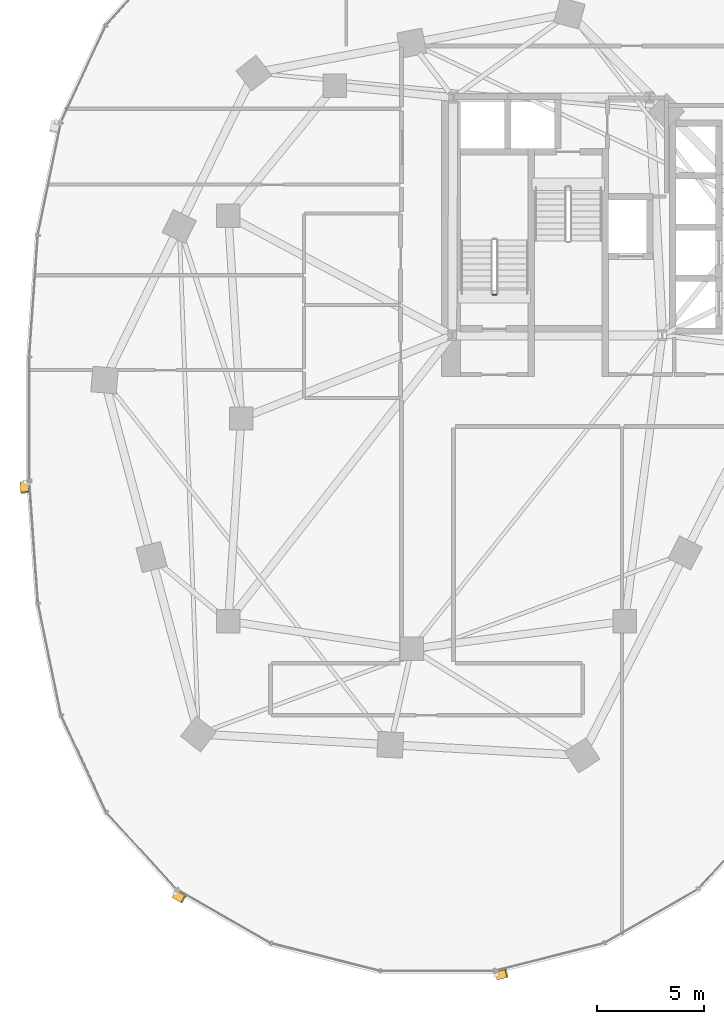
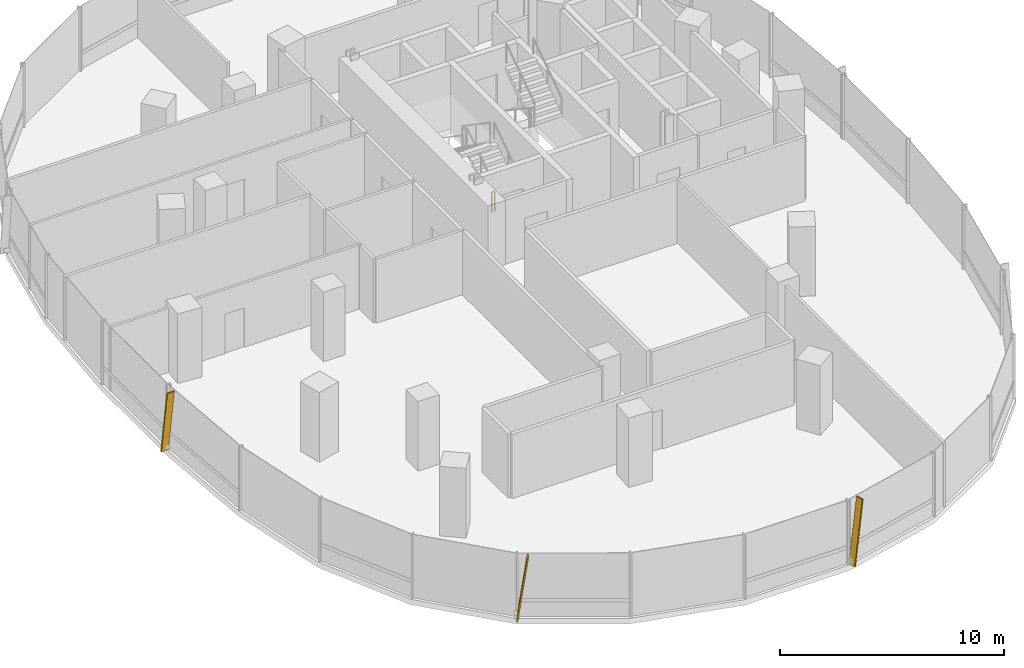
# One storey, part 17 of 21: 3 shading devices, 1 railing.
"""IFC4 building model written with IfcOpenShell, lengths in metres."""

from ifc_helpers import new_model, si_unit, direction, frame, origin, origin_2d, place, context, subcontext, project, spatial, rectangle, extrude, material, material_profile, profile_set, type_object, element, save


model = new_model("IFC4")

# Units and contexts
model_context = context("Model", 3, precision=1e-05, world=origin(), true_north=direction((0.0, 1.0)))
body_context = subcontext(model_context, "Body", "Model", "MODEL_VIEW")
ifc_project = project(units=[si_unit("LENGTHUNIT", "METRE"), si_unit("AREAUNIT", "SQUARE_METRE"), si_unit("VOLUMEUNIT", "CUBIC_METRE"), si_unit("PLANEANGLEUNIT", "RADIAN"), si_unit("MASSUNIT", "GRAM", prefix="KILO"), si_unit("THERMODYNAMICTEMPERATUREUNIT", "KELVIN"), si_unit("POWERUNIT", "WATT")], contexts=[model_context])

# Site, building, storey
site_placement = place(None, origin())
site = spatial("IfcSite", under=ifc_project, at=site_placement, CompositionType="ELEMENT")
building_placement = place(site_placement, origin())
building = spatial("IfcBuilding", under=site, at=building_placement, Name="Cundina Bronze Exchange", CompositionType="ELEMENT")
storey_placement = place(building_placement, frame((0.0, 0.0, 31.60009765625)))
storey = spatial("IfcBuildingStorey", under=building, at=storey_placement, Name="L07", CompositionType="ELEMENT", Elevation=31.60009765625)

# Railing
ifc_material_1 = material(Name="Steel ASTM A36 Painted", Category="steel")
railing_type = type_object("IfcRailingType", Name="RLG-STG-1100", PredefinedType="GUARDRAIL", material=ifc_material_1)
railing_placement = place(storey_placement, frame((-29.239990234375, 5.800048828125, 0.0)))
element("IfcRailing", 1, at=railing_placement, inside=storey, type_object=railing_type, Name="L07 ST-W1 stair guard 4", PredefinedType="GUARDRAIL", context=body_context, shape_type="SweptSolid", body=[
    extrude(rectangle(XDim=0.048095703125, YDim=0.048095703125, at=origin_2d()), frame((0.0, 0.0, 1.076171875), z_axis=(-1.0, 0.0, 0.0), x_axis=(0.0, -1.0, 0.0)), (0.0, 0.0, 1.0), 0.159912109375),
    extrude(rectangle(XDim=0.0419921875, YDim=0.0419921875, at=origin_2d()), origin(), (0.0, 0.0, 1.0), 1.052001953125),
    extrude(rectangle(XDim=0.0419921875, YDim=0.0419921875, at=origin_2d()), frame((-0.159912109375, 0.0, 0.0)), (0.0, 0.0, 1.0), 1.052001953125),
])

# Shading devices
ifc_material_2 = material(Name="Anodised Bronze Aluminium 6063-T6", Category="aluminium")
ifc_material_profile = material_profile(ifc_material_2, rectangle(XDim=0.070068359375, YDim=0.3798828125, at=origin_2d()), Name="FIN70X380", Category="aluminium")
ifc_profile_set = profile_set([ifc_material_profile], Name="Anodised Bronze Aluminium 6063-T6")
shading_device_type = type_object("IfcShadingDeviceType", Name="SHD-FIN-BRZ380", PredefinedType="USERDEFINED", material=ifc_profile_set)
for number, where, z_axis, x_axis, name in (
    (2, (-51.3740234375, -2.993896484375, 0.02001953125), (0.009645159174, -0.137059109714, 0.990515911709), (-0.06953288269, 0.988072340253, 0.137398066402), "L07 Diagonal Bronze Solar Fin 1"),
    (3, (-44.314208984375, -22.314208984375, 0.02001953125), (0.119166378275, -0.06842456559, 0.990513731915), (-0.85898178632, 0.493221799887, 0.137413779831), "L07 Diagonal Bronze Solar Fin 5"),
    (4, (-29.212646484375, -26.138427734375, 0.02001953125), (0.133214830938, 0.033688115694, 0.990514472221), (-0.960284642503, -0.242842181368, 0.137408443412), "L07 Diagonal Bronze Solar Fin 1"),
):
    element("IfcShadingDevice", number, at=place(storey_placement, frame(where, z_axis=z_axis, x_axis=x_axis)), inside=storey, type_object=shading_device_type, Name=name, ObjectType="FIN", PredefinedType="USERDEFINED", context=body_context, shape_type="SweptSolid", body=[
        extrude(rectangle(XDim=0.070068359375, YDim=0.3798828125, at=origin_2d()), origin(), (0.0, 0.0, 1.0), 3.4931640625),
    ])

save(model, "model.ifc")
